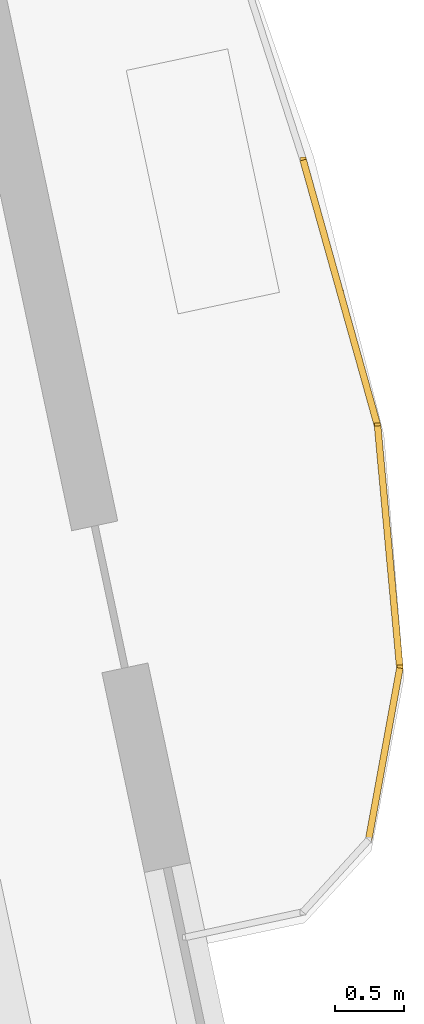
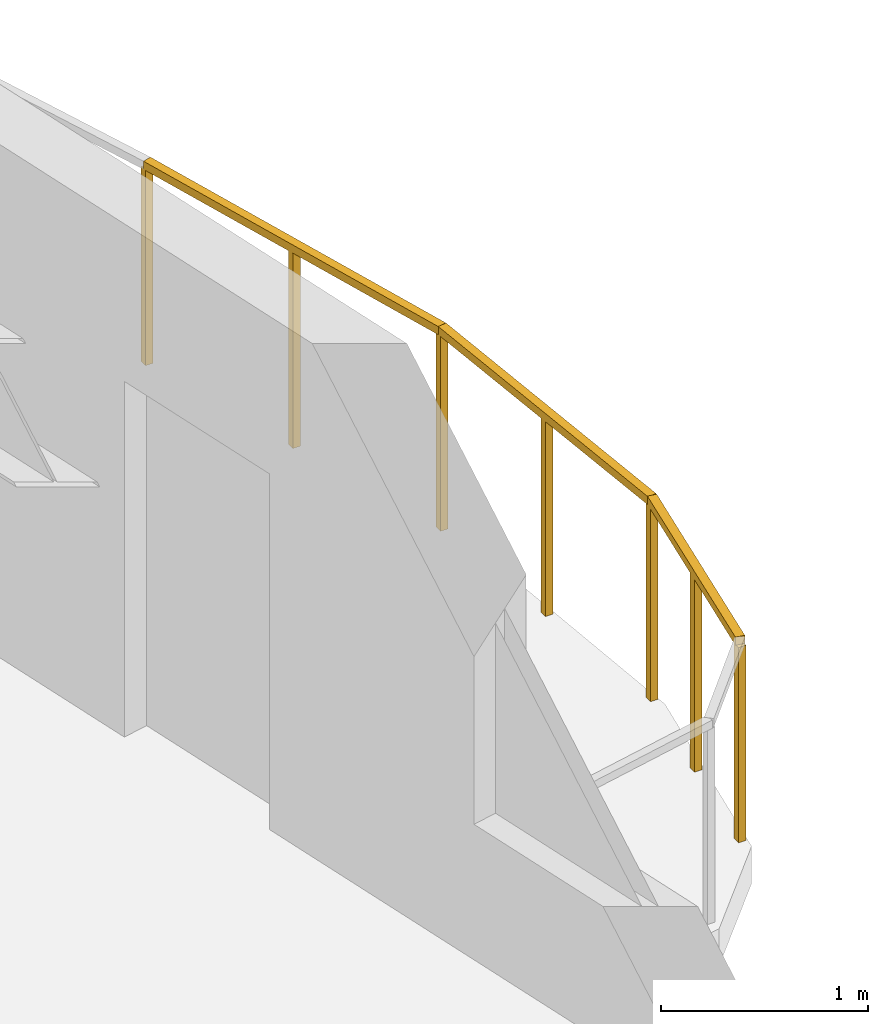
# One storey, part 16 of 16: 3 railings.
"""IFC4 building model written with IfcOpenShell, lengths in metres."""

from ifc_helpers import new_model, si_unit, direction, frame, origin, origin_2d, place, context, subcontext, project, spatial, rectangle, extrude, material, type_object, element, save


model = new_model("IFC4")

# Units and contexts
model_context = context("Model", 3, precision=1e-05, world=origin(), true_north=direction((0.0, 1.0)))
body_context = subcontext(model_context, "Body", "Model", "MODEL_VIEW")
ifc_project = project(units=[si_unit("LENGTHUNIT", "METRE"), si_unit("AREAUNIT", "SQUARE_METRE"), si_unit("VOLUMEUNIT", "CUBIC_METRE"), si_unit("PLANEANGLEUNIT", "RADIAN"), si_unit("MASSUNIT", "GRAM", prefix="KILO")], contexts=[model_context])

# Site, building, storey
site_placement = place(None, origin())
site = spatial("IfcSite", under=ifc_project, at=site_placement, CompositionType="ELEMENT")
building_placement = place(site_placement, origin())
building = spatial("IfcBuilding", under=site, at=building_placement, Name="Haevon Station Towers", CompositionType="ELEMENT")
storey_placement = place(building_placement, frame((0.0, 0.0, 57.0)))
storey = spatial("IfcBuildingStorey", under=building, at=storey_placement, Name="L14", CompositionType="ELEMENT", Elevation=57.0)

# Railings
ifc_material = material(Name="Steel S355", Category="steel")
railing_type = type_object("IfcRailingType", Name="GRD-EXT1200", PredefinedType="GUARDRAIL", material=ifc_material)
railing_1_placement = place(storey_placement, frame((137.573486328125, 29.7109375, 0.0)))
element("IfcRailing", 1, at=railing_1_placement, inside=storey, type_object=railing_type, Name="L14 Perimeter Guardrail 3", PredefinedType="GUARDRAIL", context=body_context, shape_type="SweptSolid", body=[
    extrude(rectangle(XDim=0.048095703125, YDim=0.048095703125, at=origin_2d()), frame((0.0, 0.0, 1.17578125), z_axis=(0.1788854382, 0.9838699101, 0.0), x_axis=(-0.9838699101, 0.1788854382, 0.0)), (0.0, 0.0, 1.0), 1.263671875),
    extrude(rectangle(XDim=0.0419921875, YDim=0.0419921875, at=origin_2d()), origin(), (0.0, 0.0, 1.0), 1.15185546875),
    extrude(rectangle(XDim=0.0419921875, YDim=0.0419921875, at=origin_2d()), frame((0.113037109375, 0.62158203125, 0.0)), (0.0, 0.0, 1.0), 1.15185546875),
    extrude(rectangle(XDim=0.0419921875, YDim=0.0419921875, at=origin_2d()), frame((0.22607421875, 1.243408203125, 0.0)), (0.0, 0.0, 1.0), 1.15185546875),
])
railing_2_placement = place(storey_placement, frame((137.799560546875, 30.954345703125, 0.0)))
element("IfcRailing", 2, at=railing_2_placement, inside=storey, type_object=railing_type, Name="L14 Perimeter Guardrail 4", PredefinedType="GUARDRAIL", context=body_context, shape_type="SweptSolid", body=[
    extrude(rectangle(XDim=0.048095703125, YDim=0.048095703125, at=origin_2d()), frame((0.0, 0.0, 1.17578125), z_axis=(-0.09147436539, 0.995807431423, 0.0), x_axis=(-0.995807431423, -0.09147436539, 0.0)), (0.0, 0.0, 1.0), 1.7587890625),
    extrude(rectangle(XDim=0.0419921875, YDim=0.0419921875, at=origin_2d()), origin(), (0.0, 0.0, 1.0), 1.15185546875),
    extrude(rectangle(XDim=0.0419921875, YDim=0.0419921875, at=origin_2d()), frame((-0.08056640625, 0.875732421875, 0.0)), (0.0, 0.0, 1.0), 1.15185546875),
    extrude(rectangle(XDim=0.0419921875, YDim=0.0419921875, at=origin_2d()), frame((-0.160888671875, 1.75146484375, 0.0)), (0.0, 0.0, 1.0), 1.15185546875),
])
railing_3_placement = place(storey_placement, frame((137.638671875, 32.705810546875, 0.0)))
element("IfcRailing", 3, at=railing_3_placement, inside=storey, type_object=railing_type, Name="L14 Perimeter Guardrail 5", PredefinedType="GUARDRAIL", context=body_context, shape_type="SweptSolid", body=[
    extrude(rectangle(XDim=0.048095703125, YDim=0.048095703125, at=origin_2d()), frame((0.0, 0.0, 1.17578125), z_axis=(-0.269566440774, 0.962981793186, 0.0), x_axis=(-0.962981793186, -0.269566440774, 0.0)), (0.0, 0.0, 1.0), 1.9970703125),
    extrude(rectangle(XDim=0.0419921875, YDim=0.0419921875, at=origin_2d()), origin(), (0.0, 0.0, 1.0), 1.15185546875),
    extrude(rectangle(XDim=0.0419921875, YDim=0.0419921875, at=origin_2d()), frame((-0.26904296875, 0.96142578125, 0.0)), (0.0, 0.0, 1.0), 1.15185546875),
    extrude(rectangle(XDim=0.0419921875, YDim=0.0419921875, at=origin_2d()), frame((-0.538330078125, 1.923095703125, 0.0)), (0.0, 0.0, 1.0), 1.15185546875),
])

save(model, "model.ifc")
